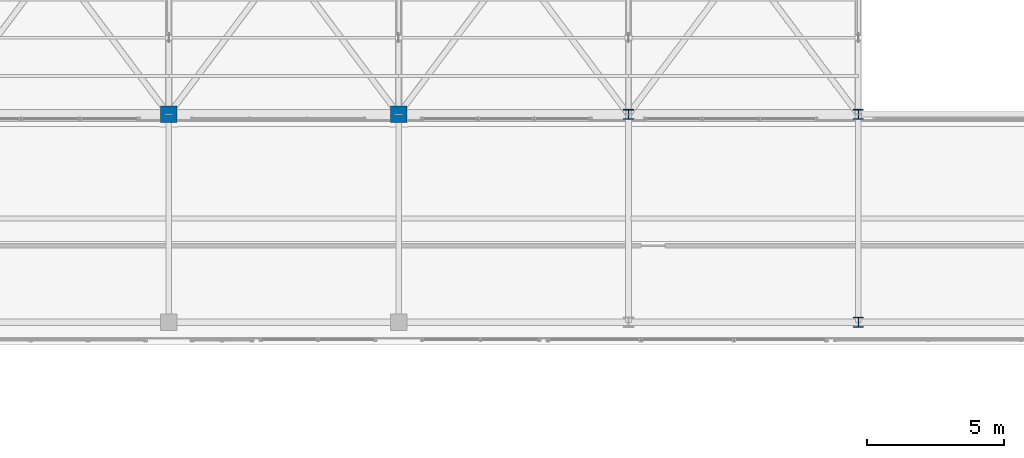
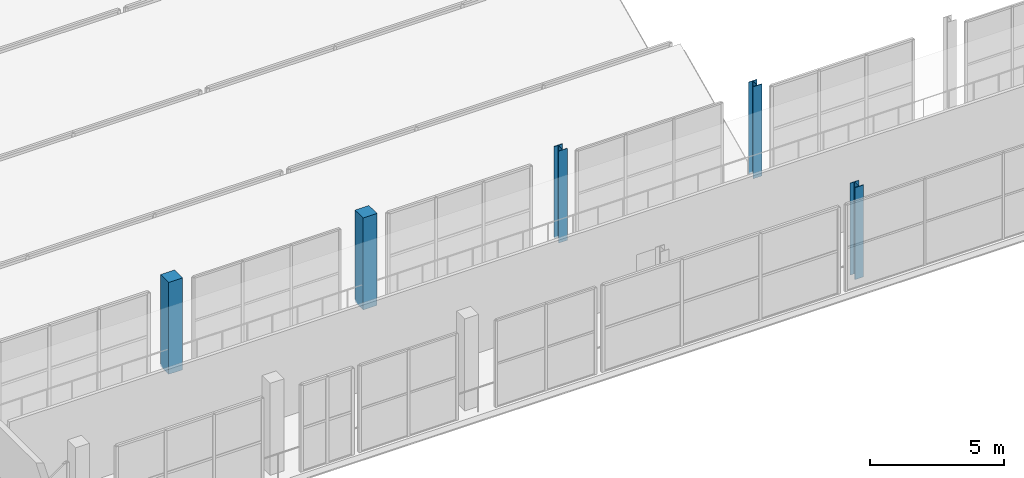
# One storey, part 10 of 217: 5 columns.
"""IFC4 building model written with IfcOpenShell, lengths in metres."""

from ifc_helpers import new_model, si_unit, direction, frame, origin, origin_2d, place, context, subcontext, project, spatial, rectangle, i_section, extrude, material, material_profile, profile_set, type_object, element, save


model = new_model("IFC4")

# Units and contexts
model_context = context("Model", 3, precision=1e-05, world=origin(), true_north=direction((0.0, 1.0)))
body_context = subcontext(model_context, "Body", "Model", "MODEL_VIEW")
ifc_project = project(units=[si_unit("LENGTHUNIT", "METRE"), si_unit("AREAUNIT", "SQUARE_METRE"), si_unit("VOLUMEUNIT", "CUBIC_METRE"), si_unit("PLANEANGLEUNIT", "RADIAN"), si_unit("MASSUNIT", "GRAM", prefix="KILO")], contexts=[model_context])

# Site, building, storey
site_placement = place(None, origin())
site = spatial("IfcSite", under=ifc_project, at=site_placement, CompositionType="ELEMENT")
building_placement = place(site_placement, origin())
building = spatial("IfcBuilding", under=site, at=building_placement, Name="Zuvorla Pavilion Media Centre", CompositionType="ELEMENT")
storey_placement = place(building_placement, frame((0.0, 0.0, 9.60009765625)))
storey = spatial("IfcBuildingStorey", under=building, at=storey_placement, Name="L02", CompositionType="ELEMENT", Elevation=9.60009765625)

# Columns
ifc_material_1 = material(Name="Concrete C40/50", Category="concrete")
ifc_material_profile_1 = material_profile(ifc_material_1, rectangle(XDim=0.60009765625, YDim=0.60009765625, at=origin_2d()), Name="RC 600x600")
ifc_profile_set_1 = profile_set([ifc_material_profile_1], Name="Concrete C40/50")
column_type_1 = type_object("IfcColumnType", Name="COL-RC600", PredefinedType="COLUMN", material=ifc_profile_set_1)
for number, where, z_axis, x_axis, name in (
    (1, (108.800048828125, 89.60009765625, 0.0), (0.0, 0.0, 1.0), (1.0, 0.0, 0.0), "L02 column C03 892"),
    (2, (117.199951171875, 89.60009765625, 0.0), (0.0, 0.0, 1.0), (1.0, 0.0, 0.0), "L02 column C03 897"),
):
    element("IfcColumn", number, at=place(storey_placement, frame(where, z_axis=z_axis, x_axis=x_axis)), inside=storey, type_object=column_type_1, Name=name, PredefinedType="COLUMN", context=body_context, shape_type="SweptSolid", body=[
        extrude(rectangle(XDim=0.60009765625, YDim=0.60009765625, at=origin_2d()), origin(), (0.0, 0.0, 1.0), 4.199951171875),
    ])
ifc_material_2 = material(Name="Steel S355", Category="steel")
ifc_material_profile_2 = material_profile(ifc_material_2, i_section(OverallWidth=0.37255859375, OverallDepth=0.3681640625, WebThickness=0.014404296875, FlangeThickness=0.023681640625, FilletRadius=0.01513671875, at=origin_2d()), Name="UC 356x368x177")
ifc_profile_set_2 = profile_set([ifc_material_profile_2], Name="Steel S355")
column_type_2 = type_object("IfcColumnType", Name="COL-UC356", PredefinedType="COLUMN", material=ifc_profile_set_2)
for number, where, z_axis, x_axis, name in (
    (3, (134.0, 82.0, 0.0), (0.0, 0.0, 1.0), (1.0, 0.0, 0.0), "L02 column C09 815"),
    (4, (125.60009765625, 89.60009765625, 0.0), (0.0, 0.0, 1.0), (1.0, 0.0, 0.0), "L02 column C09 902"),
    (5, (134.0, 89.60009765625, 0.0), (0.0, 0.0, 1.0), (1.0, 0.0, 0.0), "L02 column C09 907"),
):
    element("IfcColumn", number, at=place(storey_placement, frame(where, z_axis=z_axis, x_axis=x_axis)), inside=storey, type_object=column_type_2, Name=name, PredefinedType="COLUMN", context=body_context, shape_type="SweptSolid", body=[
        extrude(i_section(OverallWidth=0.37255859375, OverallDepth=0.3681640625, WebThickness=0.014404296875, FlangeThickness=0.023681640625, FilletRadius=0.01513671875, at=origin_2d()), origin(), (0.0, 0.0, 1.0), 4.199951171875),
    ])

save(model, "model.ifc")
